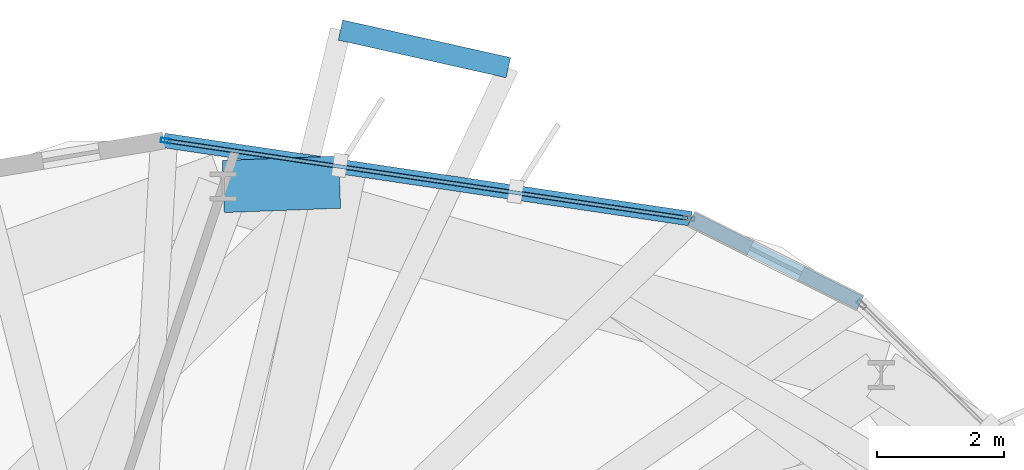
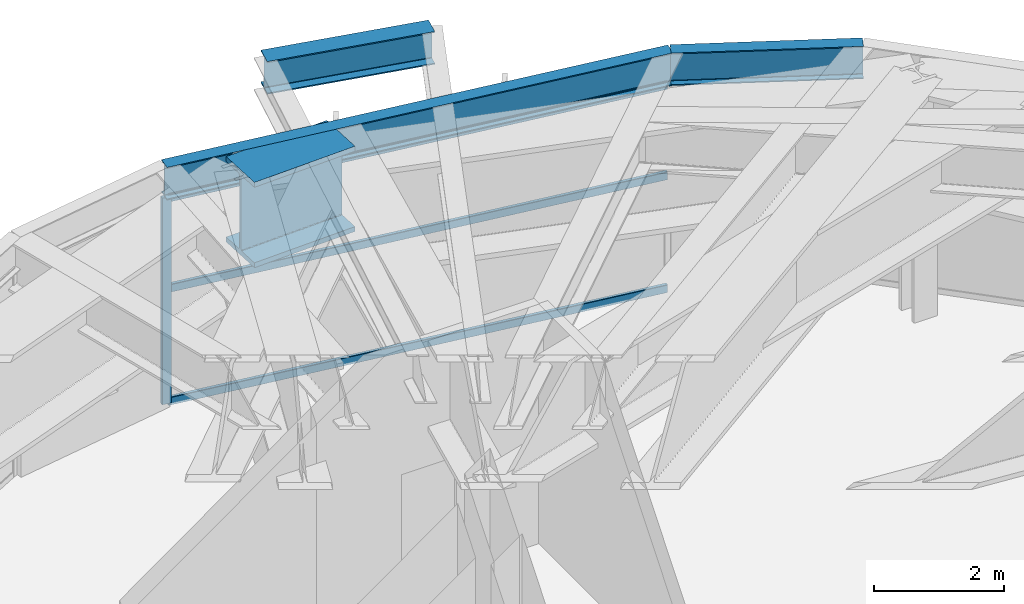
# One storey, part 19 of 27: 4 beams, 4 members, 1 element without a shape of its own.
"""IFC4 building model written with IfcOpenShell, lengths in metres."""

from ifc_helpers import new_model, si_unit, direction, frame, origin, origin_2d, place, context, subcontext, project, spatial, hollow_rectangle, i_section, extrude, material, layer, layer_set, material_profile, profile_set, type_object, element, aggregate, save


model = new_model("IFC4")

# Units and contexts
model_context = context("Model", 3, precision=1e-05, world=origin(), true_north=direction((0.0, 1.0)))
body_context = subcontext(model_context, "Body", "Model", "MODEL_VIEW")
ifc_project = project(units=[si_unit("LENGTHUNIT", "METRE"), si_unit("AREAUNIT", "SQUARE_METRE"), si_unit("VOLUMEUNIT", "CUBIC_METRE"), si_unit("PLANEANGLEUNIT", "RADIAN"), si_unit("MASSUNIT", "GRAM", prefix="KILO")], contexts=[model_context])

# Site, building, storey
site_placement = place(None, origin())
site = spatial("IfcSite", under=ifc_project, at=site_placement, CompositionType="ELEMENT")
building_placement = place(site_placement, origin())
building = spatial("IfcBuilding", under=site, at=building_placement, Name="Soratama Intermodal Tower", CompositionType="ELEMENT")
storey_placement = place(building_placement, frame((0.0, 0.0, 134.199951171875)))
storey = spatial("IfcBuildingStorey", under=building, at=storey_placement, Name="L32", CompositionType="ELEMENT", Elevation=134.199951171875)

# Beams
ifc_material_1 = material(Name="Structural steel ASTM A992 Grade 50", Category="steel")
ifc_material_profile_1 = material_profile(ifc_material_1, i_section(OverallWidth=0.324951171875, OverallDepth=0.615966796875, WebThickness=0.013916015625, FlangeThickness=0.021484375, FilletRadius=0.013916015625, at=origin_2d()), Name="W24X117")
ifc_profile_set_1 = profile_set([ifc_material_profile_1], Name="Structural steel ASTM A992 Grade 50")
beam_type_1 = type_object("IfcBeamType", Name="BM-CANT-W24X117", PredefinedType="BEAM", material=ifc_profile_set_1)
beam_1_placement = place(storey_placement, frame((48.8720703125, 44.256103515625, 4.192138671875), z_axis=(-0.975807192622, 0.218632849379, 0.0), x_axis=(-0.218632849379, -0.975807192622, 0.0)))
element("IfcBeam", 1, at=beam_1_placement, inside=storey, type_object=beam_type_1, Name="BM-L32-CBHDR-2", PredefinedType="BEAM", context=body_context, shape_type="SweptSolid", body=[
    extrude(i_section(OverallWidth=0.324951171875, OverallDepth=0.615966796875, WebThickness=0.013916015625, FlangeThickness=0.021484375, FilletRadius=0.013916015625, at=origin_2d()), origin(), (0.0, 0.0, 1.0), 2.702392578125),
])
ifc_material_2 = material(Name="Structural steel ASTM A992 Grade 50", Category="steel")
ifc_material_profile_2 = material_profile(ifc_material_2, i_section(OverallWidth=0.22900390625, OverallDepth=0.612060546875, WebThickness=0.011962890625, FlangeThickness=0.01953125, FilletRadius=0.012939453125, at=origin_2d()), Name="W24X84")
ifc_profile_set_2 = profile_set([ifc_material_profile_2], Name="Structural steel ASTM A992 Grade 50")
beam_type_2 = type_object("IfcBeamType", Name="BM-SPN-W24X84", PredefinedType="SPANDREL", material=ifc_profile_set_2)
beam_2_placement = place(storey_placement, frame((54.40087890625, 40.55908203125, 4.194091796875), z_axis=(-0.895215836877, 0.445632814551, 0.0), x_axis=(-0.445632814551, -0.895215836877, 0.0)))
element("IfcBeam", 2, at=beam_2_placement, inside=storey, type_object=beam_type_2, Name="BS-L32-CRN01", PredefinedType="SPANDREL", context=body_context, shape_type="SweptSolid", body=[
    extrude(i_section(OverallWidth=0.22900390625, OverallDepth=0.612060546875, WebThickness=0.011962890625, FlangeThickness=0.01953125, FilletRadius=0.012939453125, at=origin_2d()), origin(), (0.0, 0.0, 1.0), 2.966552734375),
])
beam_3_placement = place(storey_placement, frame((51.7451171875, 41.881103515625, 4.194091796875), z_axis=(-0.989125389055, 0.147074690982, 0.0), x_axis=(-0.147074690982, -0.989125389055, 0.0)))
element("IfcBeam", 3, at=beam_3_placement, inside=storey, type_object=beam_type_2, Name="BS-L32-F02", PredefinedType="SPANDREL", context=body_context, shape_type="SweptSolid", body=[
    extrude(i_section(OverallWidth=0.22900390625, OverallDepth=0.612060546875, WebThickness=0.011962890625, FlangeThickness=0.01953125, FilletRadius=0.012939453125, at=origin_2d()), origin(), (0.0, 0.0, 1.0), 8.376220703125),
])
ifc_material_3 = material(Name="Structural steel ASTM A992 Grade 50", Category="steel")
ifc_material_profile_3 = material_profile(ifc_material_3, i_section(OverallWidth=0.820068359375, OverallDepth=1.60205078125, WebThickness=0.055908203125, FlangeThickness=0.092041015625, FilletRadius=0.02392578125, at=origin_2d()), Name="PG1600X650")
ifc_profile_set_3 = profile_set([ifc_material_profile_3], Name="Structural steel ASTM A992 Grade 50")
beam_type_3 = type_object("IfcBeamType", Name="BM-ZSTEP-PG1600", PredefinedType="BEAM", material=ifc_profile_set_3)
beam_4_placement = place(storey_placement, frame((44.39306640625, 42.388916015625, 3.698974609375), z_axis=(0.999306397388, 0.037238745141, 0.0), x_axis=(-0.037238745141, 0.999306397388, 0.0)))
element("IfcBeam", 4, at=beam_4_placement, inside=storey, type_object=beam_type_3, Name="BM-L32-ZSTEP-A03", PredefinedType="BEAM", context=body_context, shape_type="SweptSolid", body=[
    extrude(i_section(OverallWidth=0.820068359375, OverallDepth=1.60205078125, WebThickness=0.055908203125, FlangeThickness=0.092041015625, FilletRadius=0.02392578125, at=origin_2d()), origin(), (0.0, 0.0, 1.0), 1.8291015625),
])

# Curtain wall, members
ifc_material_4 = material(Name="Double-glazed aluminium curtain wall", Category="aluminium")
ifc_layer = layer(ifc_material_4, 0.159912109375)
ifc_layer_set = layer_set([ifc_layer], Name="Double-glazed aluminium curtain wall")
curtain_wall_type = type_object("IfcCurtainWallType", Name="CW-SYS-3", PredefinedType="NOTDEFINED", material=ifc_layer_set)
curtain_wall_placement = place(storey_placement, origin())
curtain_wall = element("IfcCurtainWall", 5, at=curtain_wall_placement, inside=storey, type_object=curtain_wall_type, Name="L32 Faceted Curtain Wall F02", PredefinedType="NOTDEFINED")
ifc_material_5 = material(Name="Anodised aluminium AA 6063-T6", Category="aluminium")
ifc_material_profile_4 = material_profile(ifc_material_5, hollow_rectangle(XDim=0.070068359375, YDim=0.159912109375, WallThickness=0.0048828125, InnerFilletRadius=0.0048828125, OuterFilletRadius=0.010009765625, at=origin_2d()), Name="CWM160X70X5")
ifc_profile_set_4 = profile_set([ifc_material_profile_4], Name="Anodised aluminium AA 6063-T6")
member_type_1 = type_object("IfcMemberType", Name="MT-CWM-3", PredefinedType="MULLION", material=ifc_profile_set_4)
member_1_placement = place(storey_placement, frame((43.48974609375, 43.10888671875, 0.0), z_axis=(0.0, 0.0, 1.0), x_axis=(-0.147120202345, -0.989118620825, 0.0)))
member_1 = element("IfcMember", 6, at=member_1_placement, type_object=member_type_1, Name="CW-3 mullion 2", PredefinedType="MULLION", context=body_context, shape_type="SweptSolid", body=[
    extrude(hollow_rectangle(XDim=0.070068359375, YDim=0.159912109375, WallThickness=0.0048828125, InnerFilletRadius=0.0048828125, OuterFilletRadius=0.010009765625, at=origin_2d()), origin(), (0.0, 0.0, 1.0), 3.879150390625),
])
ifc_material_6 = material(Name="Anodised aluminium AA 6063-T6", Category="aluminium")
ifc_material_profile_5 = material_profile(ifc_material_6, hollow_rectangle(XDim=0.06494140625, YDim=0.14990234375, WallThickness=0.0048828125, InnerFilletRadius=0.0048828125, OuterFilletRadius=0.010009765625, at=origin_2d()), Name="CWT150X65X5")
ifc_profile_set_5 = profile_set([ifc_material_profile_5], Name="Anodised aluminium AA 6063-T6")
member_type_2 = type_object("IfcMemberType", Name="TT-CWT-1", PredefinedType="USERDEFINED", material=ifc_profile_set_5)
member_2_placement = place(storey_placement, frame((51.685546875, 41.889892578125, 0.030029296875), z_axis=(-0.989119310408, 0.147115566064, 0.0), x_axis=(-0.147115566064, -0.989119310408, 0.0)))
member_2 = element("IfcMember", 7, at=member_2_placement, type_object=member_type_2, Name="CW-3 transom 1.1", ObjectType="TRANSOM", PredefinedType="USERDEFINED", context=body_context, shape_type="SweptSolid", body=[
    extrude(hollow_rectangle(XDim=0.06494140625, YDim=0.14990234375, WallThickness=0.0048828125, InnerFilletRadius=0.0048828125, OuterFilletRadius=0.010009765625, at=origin_2d()), origin(), (0.0, 0.0, 1.0), 8.256103515625),
])
member_3_placement = place(storey_placement, frame((51.685546875, 41.889892578125, 2.150146484375), z_axis=(-0.989119310408, 0.147115566064, 0.0), x_axis=(-0.147115566064, -0.989119310408, 0.0)))
member_3 = element("IfcMember", 8, at=member_3_placement, type_object=member_type_2, Name="CW-3 transom 1.2", ObjectType="TRANSOM", PredefinedType="USERDEFINED", context=body_context, shape_type="SweptSolid", body=[
    extrude(hollow_rectangle(XDim=0.06494140625, YDim=0.14990234375, WallThickness=0.0048828125, InnerFilletRadius=0.0048828125, OuterFilletRadius=0.010009765625, at=origin_2d()), origin(), (0.0, 0.0, 1.0), 8.256103515625),
])
member_4_placement = place(storey_placement, frame((51.685546875, 41.889892578125, 3.84912109375), z_axis=(-0.989119310408, 0.147115566064, 0.0), x_axis=(-0.147115566064, -0.989119310408, 0.0)))
member_4 = element("IfcMember", 9, at=member_4_placement, type_object=member_type_2, Name="CW-3 transom 1.3", ObjectType="TRANSOM", PredefinedType="USERDEFINED", context=body_context, shape_type="SweptSolid", body=[
    extrude(hollow_rectangle(XDim=0.06494140625, YDim=0.14990234375, WallThickness=0.0048828125, InnerFilletRadius=0.0048828125, OuterFilletRadius=0.010009765625, at=origin_2d()), origin(), (0.0, 0.0, 1.0), 8.256103515625),
])
aggregate(curtain_wall, [member_1, member_2, member_3, member_4])

save(model, "model.ifc")
